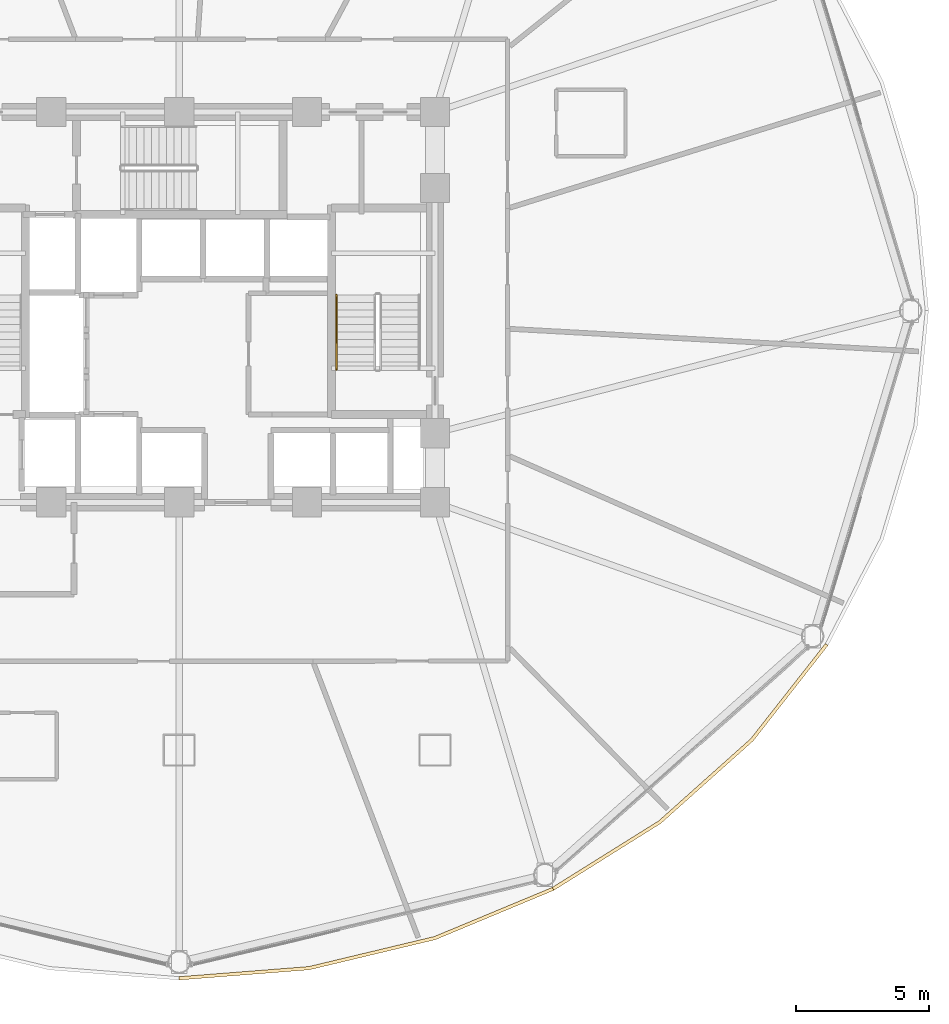
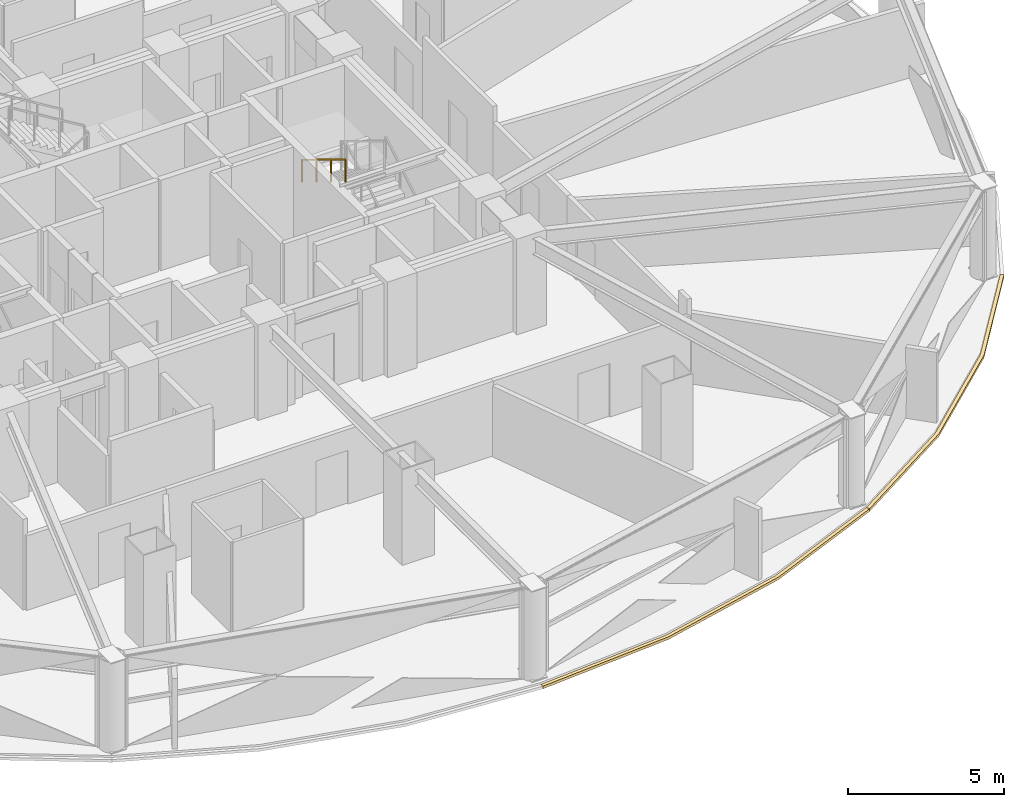
# One storey, part 27 of 29: 2 coverings, 1 railing.
"""IFC4 building model written with IfcOpenShell, lengths in metres."""

from ifc_helpers import new_model, si_unit, direction, frame, origin, origin_2d, place, context, subcontext, project, spatial, polyline, rectangle, outline, extrude, material, layer, layer_set, type_object, element, save


model = new_model("IFC4")

# Units and contexts
model_context = context("Model", 3, precision=1e-05, world=origin(), true_north=direction((0.0, 1.0)))
body_context = subcontext(model_context, "Body", "Model", "MODEL_VIEW")
ifc_project = project(units=[si_unit("LENGTHUNIT", "METRE"), si_unit("AREAUNIT", "SQUARE_METRE"), si_unit("VOLUMEUNIT", "CUBIC_METRE"), si_unit("PLANEANGLEUNIT", "RADIAN"), si_unit("MASSUNIT", "GRAM", prefix="KILO")], contexts=[model_context])

# Site, building, storey
site_placement = place(None, origin())
site = spatial("IfcSite", under=ifc_project, at=site_placement, CompositionType="ELEMENT")
building_placement = place(site_placement, origin())
building = spatial("IfcBuilding", under=site, at=building_placement, Name="Vantalir Tower", CompositionType="ELEMENT")
storey_placement = place(building_placement, frame((0.0, 0.0, 60.75)))
storey = spatial("IfcBuildingStorey", under=building, at=storey_placement, Name="L14", CompositionType="ELEMENT", Elevation=60.75)

# Coverings
ifc_material_1 = material(Name="Anodised champagne aluminium sill fascia", Category="aluminium")
ifc_layer = layer(ifc_material_1, 0.125)
ifc_layer_set = layer_set([ifc_layer], Name="Anodised champagne aluminium sill fascia")
covering_type = type_object("IfcCoveringType", Name="COV-SLAB-FASCIA-125", PredefinedType="CLADDING", material=ifc_layer_set)
covering_1_placement = place(storey_placement, frame((0.0, 0.0, -0.179931640625)))
element("IfcCovering", 1, at=covering_1_placement, inside=storey, type_object=covering_type, Name="L14 Perimeter Slab-Edge Sill Fascia 10", PredefinedType="CLADDING", context=body_context, shape_type="SweptSolid", body=[
    extrude(outline(polyline([(31.5, -0.1259765625), (36.384033203125, 0.256103515625), (41.1201171875, 1.388916015625), (45.56298828125, 3.239990234375), (45.5009765625, 3.347900390625), (41.076904296875, 1.507080078125), (36.362060546875, 0.37890625), (31.5, -0.0009765625), (31.5, -0.1259765625)])), origin(), (0.0, 0.0, 1.0), 0.10498046875),
])
covering_2_placement = place(storey_placement, frame((0.0, 0.0, -0.179931640625)))
element("IfcCovering", 2, at=covering_2_placement, inside=storey, type_object=covering_type, Name="L14 Perimeter Slab-Edge Sill Fascia 11", PredefinedType="CLADDING", context=body_context, shape_type="SweptSolid", body=[
    extrude(outline(polyline([(45.56298828125, 3.239990234375), (49.5791015625, 5.751953125), (53.0458984375, 8.84912109375), (55.85791015625, 12.43701171875), (55.75, 12.4990234375), (52.949951171875, 8.929931640625), (49.4990234375, 5.847900390625), (45.5009765625, 3.347900390625), (45.56298828125, 3.239990234375)])), origin(), (0.0, 0.0, 1.0), 0.10498046875),
])

# Railing
ifc_material_2 = material(Name="Brushed stainless steel tubular handrail", Category="steel")
railing_type = type_object("IfcRailingType", Name="RAL-HANDRAIL-900", PredefinedType="HANDRAIL", material=ifc_material_2)
railing_placement = place(storey_placement, frame((37.39990234375, 25.590087890625, 2.04541015625)))
element("IfcRailing", 3, at=railing_placement, inside=storey, type_object=railing_type, Name="L14 ST2 stair handrail 2", PredefinedType="HANDRAIL", context=body_context, shape_type="SweptSolid", body=[
    extrude(rectangle(XDim=0.048095703125, YDim=0.048095703125, at=origin_2d()), frame((0.0, 0.0, 0.8759765625), z_axis=(0.0, -0.854169791009, 0.51999420009), x_axis=(1.0, 0.0, 0.0)), (0.0, 0.0, 1.0), 3.278076171875),
    extrude(rectangle(XDim=0.0419921875, YDim=0.0419921875, at=origin_2d()), origin(), (0.0, 0.0, 1.0), 0.851806640625),
    extrude(rectangle(XDim=0.0419921875, YDim=0.0419921875, at=origin_2d()), frame((0.0, -0.933349609375, 0.568115234375)), (0.0, 0.0, 1.0), 0.851806640625),
    extrude(rectangle(XDim=0.0419921875, YDim=0.0419921875, at=origin_2d()), frame((0.0, -1.86669921875, 1.136474609375)), (0.0, 0.0, 1.0), 0.851806640625),
    extrude(rectangle(XDim=0.0419921875, YDim=0.0419921875, at=origin_2d()), frame((0.0, -2.800048828125, 1.70458984375)), (0.0, 0.0, 1.0), 0.851806640625),
])

save(model, "model.ifc")
